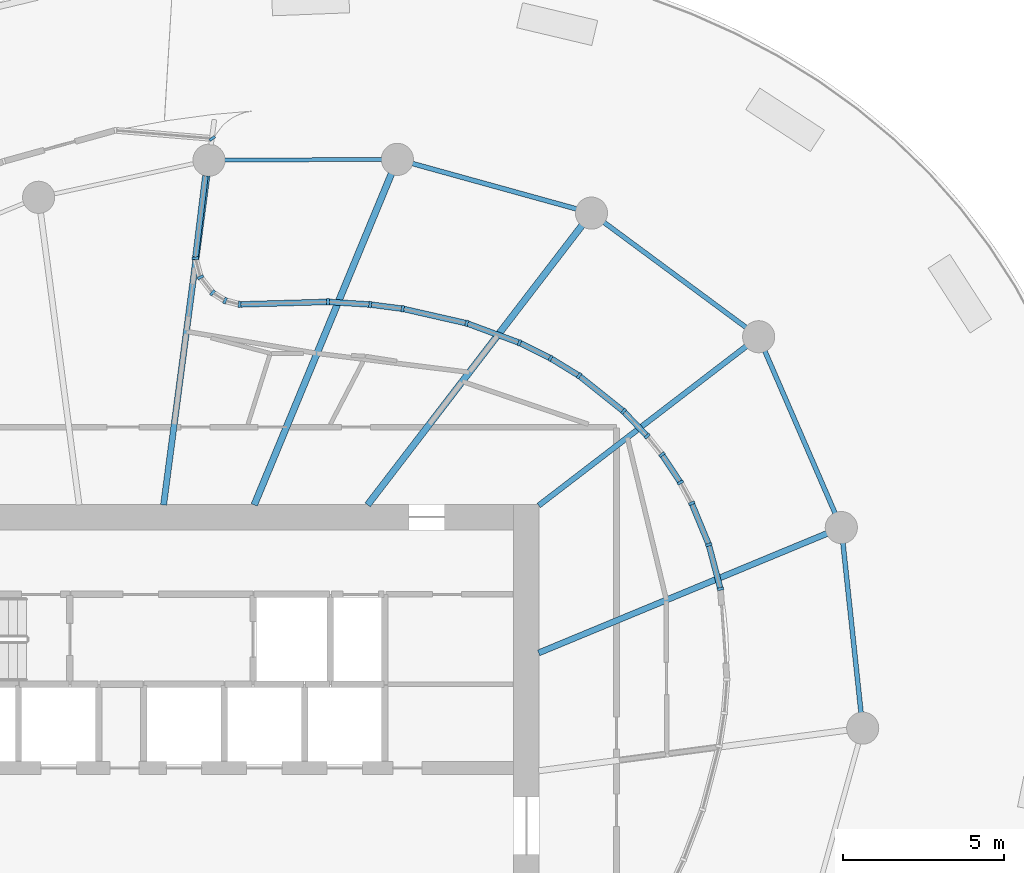
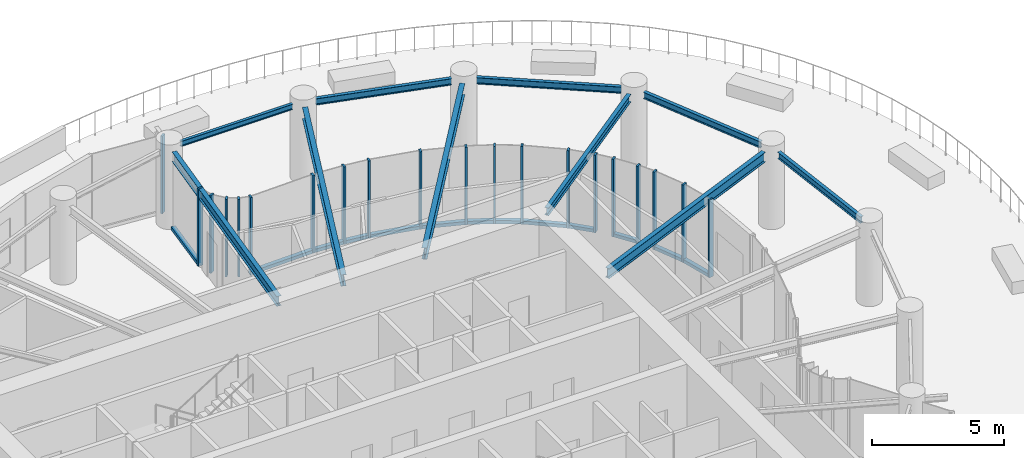
# One storey, part 6 of 21: 33 members, 10 beams, 4 elements without a shape of their own.
"""IFC4 building model written with IfcOpenShell, lengths in metres."""

import ifcopenshell
import ifcopenshell.guid

model = None  # the IFC model being written
_history = None  # IfcOwnerHistory: only IFC2X3 demands one
_inside = {}  # id of a spatial element -> (the spatial element, [elements in it])
_under = {}  # id of a project, library or spatial element -> (it, [spatial elements below it])
_declared = {}  # id of a project -> (the project, [libraries it declares])
_typed = {}  # id of a type object -> (the type object, [elements of that type])
_made_of = {}  # id of a material, layer set ... -> (it, [elements and type objects made of it])


def new_model(schema):
    """Start an empty IFC model of exactly this schema.

    Asked for "IFC4X3", IfcOpenShell would pick the latest addendum, in which some entities
    have other attributes; the version numbers below select the first issue.
    IFC2X3 requires an IfcOwnerHistory on every rooted entity: one is made here for all.
    """
    global model, _history
    if schema == "IFC4X3":
        model = ifcopenshell.file(schema_version=(4, 3, 0, 0))
    else:
        model = ifcopenshell.file(schema=schema)
    _inside.clear()
    _under.clear()
    _declared.clear()
    _typed.clear()
    _made_of.clear()
    _history = None
    if model.schema == "IFC2X3":
        org = make("IfcOrganization", Name="unknown")
        user = make(
            "IfcPersonAndOrganization",
            ThePerson=make("IfcPerson", FamilyName="unknown"),
            TheOrganization=org,
        )
        app = make(
            "IfcApplication",
            ApplicationDeveloper=org,
            Version="unknown",
            ApplicationFullName="unknown",
            ApplicationIdentifier="unknown",
        )
        _history = make(
            "IfcOwnerHistory",
            OwningUser=user,
            OwningApplication=app,
            ChangeAction="ADDED",
            CreationDate=0,
        )
    return model


def make(cls, **values):
    """One entity of the class cls with the attributes given. An attribute that is None is left unset."""
    return model.create_entity(
        cls, **{name: value for name, value in values.items() if value is not None}
    )


def rooted(cls, **values):
    """An entity with a GlobalId (a new one), such as an element, a storey or a relation."""
    return make(cls, GlobalId=ifcopenshell.guid.new(), OwnerHistory=_history, **values)


def si_unit(unit_type, name, prefix=None):
    """IfcSIUnit, for example si_unit("LENGTHUNIT", "METRE", prefix="MILLI")."""
    return make("IfcSIUnit", UnitType=unit_type, Prefix=prefix, Name=name)


def assignment(units):
    """IfcUnitAssignment: the units of a project."""
    return None if units is None else make("IfcUnitAssignment", Units=units)


def point(xyz):
    """IfcCartesianPoint."""
    return None if xyz is None else make("IfcCartesianPoint", Coordinates=xyz)


def direction(xyz):
    """IfcDirection."""
    return None if xyz is None else make("IfcDirection", DirectionRatios=xyz)


def frame(location, z_axis=None, x_axis=None):
    """IfcAxis2Placement3D, a coordinate frame: its origin and axes. An axis left out is left unset."""
    return make(
        "IfcAxis2Placement3D",
        Location=point(location),
        Axis=direction(z_axis),
        RefDirection=direction(x_axis),
    )


def frame_2d(location, x_axis=None):
    """IfcAxis2Placement2D, a coordinate frame in the plane: its origin and x axis."""
    return make(
        "IfcAxis2Placement2D", Location=point(location), RefDirection=direction(x_axis)
    )


def origin():
    """The frame at (0, 0, 0) with its axes left unset."""
    return frame((0.0, 0.0, 0.0))


def origin_2d():
    """The frame at (0, 0) in the plane with its x axis left unset."""
    return frame_2d((0.0, 0.0))


def place(relative_to, where):
    """IfcLocalPlacement: puts the frame where relative to a parent placement (None: the world)."""
    return make(
        "IfcLocalPlacement", PlacementRelTo=relative_to, RelativePlacement=where
    )


def context(
    kind, dimensions, precision=None, world=None, true_north=None, identifier=None
):
    """IfcGeometricRepresentationContext, for example the 3D "Model" context."""
    return make(
        "IfcGeometricRepresentationContext",
        ContextIdentifier=identifier,
        ContextType=kind,
        CoordinateSpaceDimension=dimensions,
        Precision=precision,
        WorldCoordinateSystem=world,
        TrueNorth=true_north,
    )


def subcontext(parent, identifier, kind, view, scale=None):
    """IfcGeometricRepresentationSubContext, for example "Body" below "Model"."""
    return make(
        "IfcGeometricRepresentationSubContext",
        ContextIdentifier=identifier,
        ContextType=kind,
        ParentContext=parent,
        TargetScale=scale,
        TargetView=view,
    )


def project(units=None, contexts=None):
    """IfcProject with its units and contexts."""
    return rooted(
        "IfcProject",
        Name="project",
        RepresentationContexts=contexts,
        UnitsInContext=assignment(units),
    )


def spatial(cls, under=None, at=None, **own):
    """A site, building, storey or space (cls), placed at a placement, below another one or the project."""
    s = rooted(cls, ObjectPlacement=at, **own)
    if under is not None:
        _under.setdefault(under.id(), (under, []))[1].append(s)
    return s


def profile(cls, at=None, kind="AREA", **sizes):
    """A parametric profile (cls). Its sizes go by their IFC names, for example OverallWidth=200.0."""
    return make(cls, ProfileType=kind, Position=at, **sizes)


def rectangle(**sizes):
    """IfcRectangleProfileDef."""
    return profile("IfcRectangleProfileDef", **sizes)


def i_section(**sizes):
    """IfcIShapeProfileDef."""
    return profile("IfcIShapeProfileDef", **sizes)


def extrude(swept, where, along, depth):
    """IfcExtrudedAreaSolid: the profile swept, set in the frame where, extruded along a direction by depth."""
    return make(
        "IfcExtrudedAreaSolid",
        SweptArea=swept,
        Position=where,
        ExtrudedDirection=direction(along),
        Depth=depth,
    )


def shape(context_of_items, identifier, shape_type, items):
    """IfcShapeRepresentation: the items that make up one representation, for example the "Body"."""
    return make(
        "IfcShapeRepresentation",
        ContextOfItems=context_of_items,
        RepresentationIdentifier=identifier,
        RepresentationType=shape_type,
        Items=items,
    )


def source(mapping_origin, context_of_items, identifier, shape_type, items):
    """IfcRepresentationMap: a shape defined once, which mapped items show again and again."""
    return make(
        "IfcRepresentationMap",
        MappingOrigin=mapping_origin,
        MappedRepresentation=shape(context_of_items, identifier, shape_type, items),
    )


def transform(
    local_origin,
    x_axis=None,
    y_axis=None,
    z_axis=None,
    scale=None,
    scale2=None,
    scale3=None,
    uniform=True,
):
    """IfcCartesianTransformationOperator3D, or its non-uniform kind. x_axis, y_axis, z_axis: its Axis1, 2, 3."""
    if uniform:
        return make(
            "IfcCartesianTransformationOperator3D",
            Axis1=direction(x_axis),
            Axis2=direction(y_axis),
            LocalOrigin=point(local_origin),
            Scale=scale,
            Axis3=direction(z_axis),
        )
    return make(
        "IfcCartesianTransformationOperator3DnonUniform",
        Axis1=direction(x_axis),
        Axis2=direction(y_axis),
        LocalOrigin=point(local_origin),
        Scale=scale,
        Axis3=direction(z_axis),
        Scale2=scale2,
        Scale3=scale3,
    )


def mapped(mapping_source, mapping_target):
    """IfcMappedItem: shows the shape of a source again, moved by a transform."""
    return make(
        "IfcMappedItem", MappingSource=mapping_source, MappingTarget=mapping_target
    )


def material(Name=None, Category=None):
    """IfcMaterial."""
    return make("IfcMaterial", Name=Name, Category=Category)


def layer(
    of_material, thickness, ventilated=None, Name=None, Category=None, Priority=None
):
    """IfcMaterialLayer: one layer of a wall or slab, of a material (None: an air gap)."""
    return make(
        "IfcMaterialLayer",
        Material=of_material,
        LayerThickness=thickness,
        IsVentilated=ventilated,
        Name=Name,
        Category=Category,
        Priority=Priority,
    )


def layer_set(layers, Name=None):
    """IfcMaterialLayerSet."""
    return make("IfcMaterialLayerSet", MaterialLayers=layers, LayerSetName=Name)


def material_profile(
    of_material, cross_section, Name=None, Category=None, Priority=None
):
    """IfcMaterialProfile: a cross section and its material."""
    return make(
        "IfcMaterialProfile",
        Name=Name,
        Material=of_material,
        Profile=cross_section,
        Priority=Priority,
        Category=Category,
    )


def profile_set(profiles, Name=None, composite=None):
    """IfcMaterialProfileSet."""
    return make(
        "IfcMaterialProfileSet",
        Name=Name,
        MaterialProfiles=profiles,
        CompositeProfile=composite,
    )


def made_of(thing, what):
    """Note that an element or type object is made of a material, layer set ...; save() writes the relation."""
    if what is not None:
        _made_of.setdefault(what.id(), (what, []))[1].append(thing)
    return thing


def type_object(cls, material=None, **own):
    """A type object (cls), such as IfcWallType, which elements share."""
    return made_of(rooted(cls, **own), material)


def element(
    cls,
    number,
    at=None,
    inside=None,
    cuts=None,
    type_object=None,
    material=None,
    context=None,
    identifier="Body",
    shape_type=None,
    held_by="IfcProductDefinitionShape",
    body=None,
    shapes=None,
    **own,
):
    """One element of the class cls, such as IfcWall. Its Tag is "e" and its number.

    at: its placement. inside: the storey or other place that contains it. cuts: it is an
    opening in that element (IfcRelVoidsElement). A single representation is given by context,
    identifier, shape_type and body (its items); several are given by shapes. held_by: the class
    of the entity that holds the representations. save() writes the other relations.
    """
    e = rooted(cls, Tag="e%d" % number, ObjectPlacement=at, **own)
    if body is not None:
        shapes = [shape(context, identifier, shape_type, body)]
    if shapes is not None:
        e.Representation = make(held_by, Representations=shapes)
    if inside is not None:
        _inside.setdefault(inside.id(), (inside, []))[1].append(e)
    if cuts is not None:
        rooted(
            "IfcRelVoidsElement", RelatingBuildingElement=cuts, RelatedOpeningElement=e
        )
    if type_object is not None:
        _typed.setdefault(type_object.id(), (type_object, []))[1].append(e)
    return made_of(e, material)


def aggregate(whole, parts):
    """IfcRelAggregates: a whole, such as a stair, and the parts it consists of."""
    return rooted("IfcRelAggregates", RelatingObject=whole, RelatedObjects=parts)


def save(model, path):
    """Write the relations noted so far, then the file.

    IfcRelAggregates (storeys below a building ...), IfcRelContainedInSpatialStructure (elements
    in a storey), IfcRelDefinesByType, IfcRelAssociatesMaterial and IfcRelDeclares: one each for
    every whole, place, type object, material and project.
    """
    for whole, parts in _under.values():
        aggregate(whole, parts)
    for where, things in _inside.values():
        rooted(
            "IfcRelContainedInSpatialStructure",
            RelatedElements=things,
            RelatingStructure=where,
        )
    for kind, things in _typed.values():
        rooted("IfcRelDefinesByType", RelatedObjects=things, RelatingType=kind)
    for what, things in _made_of.values():
        rooted("IfcRelAssociatesMaterial", RelatedObjects=things, RelatingMaterial=what)
    for by, libraries in _declared.values():
        rooted("IfcRelDeclares", RelatingContext=by, RelatedDefinitions=libraries)
    model.write(path)


model = new_model("IFC4")

# Units and contexts
model_context = context("Model", 3, precision=1e-05, world=origin(), true_north=direction((0.0, 1.0)))
body_context = subcontext(model_context, "Body", "Model", "MODEL_VIEW")
ifc_project = project(units=[si_unit("LENGTHUNIT", "METRE"), si_unit("AREAUNIT", "SQUARE_METRE"), si_unit("VOLUMEUNIT", "CUBIC_METRE"), si_unit("PLANEANGLEUNIT", "RADIAN"), si_unit("MASSUNIT", "GRAM", prefix="KILO")], contexts=[model_context])

# Site, building, storey
site_placement = place(None, origin())
site = spatial("IfcSite", under=ifc_project, at=site_placement, CompositionType="ELEMENT")
building_placement = place(site_placement, origin())
building = spatial("IfcBuilding", under=site, at=building_placement, Name="Spindrift Exchange Tower", CompositionType="ELEMENT")
storey_placement = place(building_placement, frame((0.0, 0.0, 133.10009765625)))
storey = spatial("IfcBuildingStorey", under=building, at=storey_placement, Name="L31", CompositionType="ELEMENT", Elevation=133.10009765625)

# Beams
ifc_material_1 = material(Name="Steel Grade 300", Category="steel")
ifc_material_profile_1 = material_profile(ifc_material_1, i_section(OverallWidth=0.18994140625, OverallDepth=0.4541015625, WebThickness=0.008544921875, FlangeThickness=0.0126953125, FilletRadius=0.013916015625, at=origin_2d()), Name="460UB67.1")
ifc_profile_set_1 = profile_set([ifc_material_profile_1], Name="Steel Grade 300")
beam_type_1 = type_object("IfcBeamType", Name="Floor Beam 460UB67.1 Steel Grade 300", PredefinedType="BEAM", material=ifc_profile_set_1)
shared_shape_1 = source(origin(), body_context, "Body", "SweptSolid", [
    extrude(i_section(OverallWidth=0.18994140625, OverallDepth=0.4541015625, WebThickness=0.008544921875, FlangeThickness=0.0126953125, FilletRadius=0.013916015625, at=origin_2d()), origin(), (0.0, 0.0, 1.0), 9.7109375),
])
beam_1_placement = place(storey_placement, frame((64.9814453125, 53.377197265625, 3.352783203125), z_axis=(0.923884154486, 0.382672273741, 0.0), x_axis=(-0.382672273741, 0.923884154486, 0.0)))
element("IfcBeam", 1, at=beam_1_placement, inside=storey, type_object=beam_type_1, Name="L31 radial beam R02A", PredefinedType="BEAM", context=body_context, shape_type="MappedRepresentation", body=[
    mapped(shared_shape_1, transform((0.0, 0.0, 0.0), scale=1.0)),
])
ifc_material_profile_2 = material_profile(ifc_material_1, i_section(OverallWidth=0.1708984375, OverallDepth=0.35205078125, WebThickness=0.0068359375, FlangeThickness=0.009765625, FilletRadius=0.013916015625, at=origin_2d()), Name="360UB44.7")
ifc_profile_set_2 = profile_set([ifc_material_profile_2], Name="Steel Grade 300")
beam_type_2 = type_object("IfcBeamType", Name="Floor Beam 360UB44.7 Steel Grade 300", PredefinedType="BEAM", material=ifc_profile_set_2)
shared_shape_2 = source(origin(), body_context, "Body", "SweptSolid", [
    extrude(i_section(OverallWidth=0.1708984375, OverallDepth=0.35205078125, WebThickness=0.0068359375, FlangeThickness=0.009765625, FilletRadius=0.013916015625, at=origin_2d()), origin(), (0.0, 0.0, 1.0), 8.143798828125),
])
beam_2_placement = place(storey_placement, frame((64.984130859375, 57.963134765625, 3.40380859375), z_axis=(0.793361179131, 0.608751213098, 0.0), x_axis=(-0.608751213098, 0.793361179131, 0.0)))
element("IfcBeam", 2, at=beam_2_placement, inside=storey, type_object=beam_type_2, Name="L31 radial beam R03A", PredefinedType="BEAM", context=body_context, shape_type="MappedRepresentation", body=[
    mapped(shared_shape_2, transform((0.0, 0.0, 0.0), scale=1.0)),
])
ifc_material_profile_3 = material_profile(ifc_material_1, i_section(OverallWidth=0.208984375, OverallDepth=0.528076171875, WebThickness=0.009521484375, FlangeThickness=0.01318359375, FilletRadius=0.013916015625, at=origin_2d()), Name="530UB82.0")
ifc_profile_set_3 = profile_set([ifc_material_profile_3], Name="Steel Grade 300")
beam_type_3 = type_object("IfcBeamType", Name="Floor Beam 530UB82.0 Steel Grade 300", PredefinedType="BEAM", material=ifc_profile_set_3)
shared_shape_3 = source(origin(), body_context, "Body", "SweptSolid", [
    extrude(i_section(OverallWidth=0.208984375, OverallDepth=0.528076171875, WebThickness=0.009521484375, FlangeThickness=0.01318359375, FilletRadius=0.013916015625, at=origin_2d()), origin(), (0.0, 0.0, 1.0), 10.959228515625),
])
beam_3_placement = place(storey_placement, frame((59.6611328125, 57.984130859375, 3.31591796875), z_axis=(0.608764008616, 0.793351360882, 0.0), x_axis=(-0.793351360882, 0.608764008616, 0.0)))
element("IfcBeam", 3, at=beam_3_placement, inside=storey, type_object=beam_type_3, Name="L31 radial beam R04A", PredefinedType="BEAM", context=body_context, shape_type="MappedRepresentation", body=[
    mapped(shared_shape_3, transform((0.0, 0.0, 0.0), scale=1.0)),
])
shared_shape_4 = source(origin(), body_context, "Body", "SweptSolid", [
    extrude(i_section(OverallWidth=0.208984375, OverallDepth=0.528076171875, WebThickness=0.009521484375, FlangeThickness=0.01318359375, FilletRadius=0.013916015625, at=origin_2d()), origin(), (0.0, 0.0, 1.0), 11.155029296875),
])
beam_4_placement = place(storey_placement, frame((56.134521484375, 57.9814453125, 3.31591796875), z_axis=(0.382679750175, 0.923881057716, 0.0), x_axis=(-0.923881057716, 0.382679750175, 0.0)))
element("IfcBeam", 4, at=beam_4_placement, inside=storey, type_object=beam_type_3, Name="L31 radial beam R05A", PredefinedType="BEAM", context=body_context, shape_type="MappedRepresentation", body=[
    mapped(shared_shape_4, transform((0.0, 0.0, 0.0), scale=1.0)),
])
shared_shape_5 = source(origin(), body_context, "Body", "SweptSolid", [
    extrude(i_section(OverallWidth=0.18994140625, OverallDepth=0.4541015625, WebThickness=0.008544921875, FlangeThickness=0.0126953125, FilletRadius=0.013916015625, at=origin_2d()), origin(), (0.0, 0.0, 1.0), 10.337646484375),
])
beam_5_placement = place(storey_placement, frame((53.31396484375, 57.980224609375, 3.352783203125), z_axis=(0.130528432357, 0.991444566452, 0.0), x_axis=(-0.991444566452, 0.130528432357, 0.0)))
element("IfcBeam", 5, at=beam_5_placement, inside=storey, type_object=beam_type_1, Name="L31 radial beam R06A", PredefinedType="BEAM", context=body_context, shape_type="MappedRepresentation", body=[
    mapped(shared_shape_5, transform((0.0, 0.0, 0.0), scale=1.0)),
])
ifc_material_profile_4 = material_profile(ifc_material_1, i_section(OverallWidth=0.14892578125, OverallDepth=0.298095703125, WebThickness=0.005615234375, FlangeThickness=0.008056640625, FilletRadius=0.012939453125, at=origin_2d()), Name="310UB32.0")
ifc_profile_set_4 = profile_set([ifc_material_profile_4], Name="Steel Grade 300")
beam_type_4 = type_object("IfcBeamType", Name="Edge Beam 310UB32.0 Steel Grade 300", PredefinedType="SPANDREL", material=ifc_profile_set_4)
shared_shape_6 = source(origin(), body_context, "Body", "SweptSolid", [
    extrude(i_section(OverallWidth=0.14892578125, OverallDepth=0.298095703125, WebThickness=0.005615234375, FlangeThickness=0.008056640625, FilletRadius=0.012939453125, at=origin_2d()), origin(), (0.0, 0.0, 1.0), 5.31640625),
])
beam_6_placement = place(storey_placement, frame((75.010986328125, 51.513427734375, 3.430908203125), z_axis=(-0.10598990948, 0.994367205357, 0.0), x_axis=(-0.994367205357, -0.10598990948, 0.0)))
element("IfcBeam", 6, at=beam_6_placement, inside=storey, type_object=beam_type_4, Name="L31 edge beam E01", PredefinedType="SPANDREL", context=body_context, shape_type="MappedRepresentation", body=[
    mapped(shared_shape_6, transform((0.0, 0.0, 0.0), scale=1.0)),
])
shared_shape_7 = source(origin(), body_context, "Body", "SweptSolid", [
    extrude(i_section(OverallWidth=0.14892578125, OverallDepth=0.298095703125, WebThickness=0.005615234375, FlangeThickness=0.008056640625, FilletRadius=0.012939453125, at=origin_2d()), origin(), (0.0, 0.0, 1.0), 5.508544921875),
])
beam_7_placement = place(storey_placement, frame((74.205810546875, 57.717529296875, 3.430908203125), z_axis=(-0.397414644433, 0.917639144975, 0.0), x_axis=(-0.917639144975, -0.397414644433, 0.0)))
element("IfcBeam", 7, at=beam_7_placement, inside=storey, type_object=beam_type_4, Name="L31 edge beam E02", PredefinedType="SPANDREL", context=body_context, shape_type="MappedRepresentation", body=[
    mapped(shared_shape_7, transform((0.0, 0.0, 0.0), scale=1.0)),
])
shared_shape_8 = source(origin(), body_context, "Body", "SweptSolid", [
    extrude(i_section(OverallWidth=0.14892578125, OverallDepth=0.298095703125, WebThickness=0.005615234375, FlangeThickness=0.008056640625, FilletRadius=0.012939453125, at=origin_2d()), origin(), (0.0, 0.0, 1.0), 5.509033203125),
])
beam_8_placement = place(storey_placement, frame((71.43994140625, 63.498291015625, 3.430908203125), z_axis=(-0.803991901791, 0.594640245741, 0.0), x_axis=(-0.594640245741, -0.803991901791, 0.0)))
element("IfcBeam", 8, at=beam_8_placement, inside=storey, type_object=beam_type_4, Name="L31 edge beam E03", PredefinedType="SPANDREL", context=body_context, shape_type="MappedRepresentation", body=[
    mapped(shared_shape_8, transform((0.0, 0.0, 0.0), scale=1.0)),
])
shared_shape_9 = source(origin(), body_context, "Body", "SweptSolid", [
    extrude(i_section(OverallWidth=0.14892578125, OverallDepth=0.298095703125, WebThickness=0.005615234375, FlangeThickness=0.008056640625, FilletRadius=0.012939453125, at=origin_2d()), origin(), (0.0, 0.0, 1.0), 5.30517578125),
])
beam_9_placement = place(storey_placement, frame((66.162353515625, 67.1875, 3.430908203125), z_axis=(-0.963757513624, 0.26677978734, 0.0), x_axis=(-0.26677978734, -0.963757513624, 0.0)))
element("IfcBeam", 9, at=beam_9_placement, inside=storey, type_object=beam_type_4, Name="L31 edge beam E04", PredefinedType="SPANDREL", context=body_context, shape_type="MappedRepresentation", body=[
    mapped(shared_shape_9, transform((0.0, 0.0, 0.0), scale=1.0)),
])
ifc_material_profile_5 = material_profile(ifc_material_1, i_section(OverallWidth=0.1240234375, OverallDepth=0.248046875, WebThickness=0.0048828125, FlangeThickness=0.008056640625, FilletRadius=0.011962890625, at=origin_2d()), Name="250UB25.7")
ifc_profile_set_5 = profile_set([ifc_material_profile_5], Name="Steel Grade 300")
beam_type_5 = type_object("IfcBeamType", Name="Edge Beam 250UB25.7 Steel Grade 300", PredefinedType="SPANDREL", material=ifc_profile_set_5)
shared_shape_10 = source(origin(), body_context, "Body", "SweptSolid", [
    extrude(i_section(OverallWidth=0.1240234375, OverallDepth=0.248046875, WebThickness=0.0048828125, FlangeThickness=0.008056640625, FilletRadius=0.011962890625, at=origin_2d()), origin(), (0.0, 0.0, 1.0), 4.901123046875),
])
beam_10_placement = place(storey_placement, frame((60.10693359375, 68.728759765625, 3.455810546875), z_axis=(-0.999990609444, -0.004333707747, 0.0), x_axis=(0.004333707747, -0.999990609444, 0.0)))
element("IfcBeam", 10, at=beam_10_placement, inside=storey, type_object=beam_type_5, Name="L31 edge beam E05", PredefinedType="SPANDREL", context=body_context, shape_type="MappedRepresentation", body=[
    mapped(shared_shape_10, transform((0.0, 0.0, 0.0), scale=1.0)),
])

# Curtain wall, members
ifc_material_2 = material(Name="Fritted laminated glass with bronze frame", Category="glass")
ifc_layer = layer(ifc_material_2, 0.199951171875)
ifc_layer_set = layer_set([ifc_layer], Name="SKY GARDEN BRONZE GLAZED WALL")
curtain_wall_type = type_object("IfcCurtainWallType", Name="SKY GARDEN BRONZE GLAZED WALL", PredefinedType="NOTDEFINED", material=ifc_layer_set)
curtain_wall_1_placement = place(storey_placement, origin())
curtain_wall_1 = element("IfcCurtainWall", 11, at=curtain_wall_1_placement, inside=storey, type_object=curtain_wall_type, Name="L31 Sky Garden Bronze Glazed Wall run 8", PredefinedType="NOTDEFINED")
ifc_material_3 = material(Name="Bronze anodised aluminium", Category="aluminium")
ifc_material_profile_6 = material_profile(ifc_material_3, rectangle(XDim=0.0849609375, YDim=0.199951171875, at=origin_2d()), Name="SKY GARDEN BRONZE GLAZED WALL MULLION 85X200")
ifc_profile_set_6 = profile_set([ifc_material_profile_6], Name="Bronze anodised aluminium")
member_type_1 = type_object("IfcMemberType", Name="SKY GARDEN BRONZE GLAZED WALL MULLION 85X200", PredefinedType="MULLION", material=ifc_profile_set_6)
shared_shape_11 = source(origin(), body_context, "Body", "SweptSolid", [
    extrude(rectangle(XDim=0.0849609375, YDim=0.199951171875, at=origin_2d()), origin(), (0.0, 0.0, 1.0), 3.579833984375),
])
member_1_placement = place(storey_placement, frame((70.63671875, 55.36865234375, 0.0), z_axis=(0.0, 0.0, 1.0), x_axis=(-0.16394404285, 0.986469640087, 0.0)))
member_1 = element("IfcMember", 12, at=member_1_placement, type_object=member_type_1, Name="L31 mullion CW-G.42", PredefinedType="MULLION", context=body_context, shape_type="MappedRepresentation", body=[
    mapped(shared_shape_11, transform((0.0, 0.0, 0.0), scale=1.0)),
])
member_2_placement = place(storey_placement, frame((70.274658203125, 56.742431640625, 0.0), z_axis=(0.0, 0.0, 1.0), x_axis=(-0.318984416097, 0.947759960268, 0.0)))
member_2 = element("IfcMember", 13, at=member_2_placement, type_object=member_type_1, Name="L31 mullion CW-G.43", PredefinedType="MULLION", context=body_context, shape_type="MappedRepresentation", body=[
    mapped(shared_shape_11, transform((0.0, 0.0, 0.0), scale=1.0)),
])
member_3_placement = place(storey_placement, frame((69.741943359375, 58.0322265625, 0.0), z_axis=(0.0, 0.0, 1.0), x_axis=(-0.429782412331, 0.902932488092, 0.0)))
member_3 = element("IfcMember", 14, at=member_3_placement, type_object=member_type_1, Name="L31 mullion CW-G.44", PredefinedType="MULLION", context=body_context, shape_type="MappedRepresentation", body=[
    mapped(shared_shape_11, transform((0.0, 0.0, 0.0), scale=1.0)),
])
member_4_placement = place(storey_placement, frame((69.39111328125, 58.67919921875, 0.0), z_axis=(0.0, 0.0, 1.0), x_axis=(-0.514968482124, 0.857209112422, 0.0)))
member_4 = element("IfcMember", 15, at=member_4_placement, type_object=member_type_1, Name="L31 mullion CW-G.45", PredefinedType="MULLION", context=body_context, shape_type="MappedRepresentation", body=[
    mapped(shared_shape_11, transform((0.0, 0.0, 0.0), scale=1.0)),
])

curtain_wall_2_placement = place(storey_placement, origin())
curtain_wall_2 = element("IfcCurtainWall", 16, at=curtain_wall_2_placement, inside=storey, type_object=curtain_wall_type, Name="L31 Sky Garden Bronze Glazed Wall run 9", PredefinedType="NOTDEFINED")
member_5_placement = place(storey_placement, frame((68.816650390625, 59.546142578125, 0.0), z_axis=(0.0, 0.0, 1.0), x_axis=(-0.588622270898, 0.808408202707, 0.0)))
member_5 = element("IfcMember", 17, at=member_5_placement, type_object=member_type_1, Name="L31 mullion CW-G.46", PredefinedType="MULLION", context=body_context, shape_type="MappedRepresentation", body=[
    mapped(shared_shape_11, transform((0.0, 0.0, 0.0), scale=1.0)),
])
member_6_placement = place(storey_placement, frame((68.357666015625, 60.12158203125, 0.0), z_axis=(0.0, 0.0, 1.0), x_axis=(-0.657615514353, 0.753353725206, 0.0)))
member_6 = element("IfcMember", 18, at=member_6_placement, type_object=member_type_1, Name="L31 mullion CW-G.47", PredefinedType="MULLION", context=body_context, shape_type="MappedRepresentation", body=[
    mapped(shared_shape_11, transform((0.0, 0.0, 0.0), scale=1.0)),
])
member_7_placement = place(storey_placement, frame((67.622314453125, 60.892333984375, 0.0), z_axis=(0.0, 0.0, 1.0), x_axis=(-0.73707407844, 0.675811958234, 0.0)))
member_7 = element("IfcMember", 19, at=member_7_placement, type_object=member_type_1, Name="L31 mullion CW-G.48", PredefinedType="MULLION", context=body_context, shape_type="MappedRepresentation", body=[
    mapped(shared_shape_11, transform((0.0, 0.0, 0.0), scale=1.0)),
])
member_8_placement = place(storey_placement, frame((66.23828125, 62.00048828125, 0.0), z_axis=(0.0, 0.0, 1.0), x_axis=(-0.818261845301, 0.574845677139, 0.0)))
member_8 = element("IfcMember", 20, at=member_8_placement, type_object=member_type_1, Name="L31 mullion CW-G.49", PredefinedType="MULLION", context=body_context, shape_type="MappedRepresentation", body=[
    mapped(shared_shape_11, transform((0.0, 0.0, 0.0), scale=1.0)),
])
member_9_placement = place(storey_placement, frame((65.3505859375, 62.544189453125, 0.0), z_axis=(0.0, 0.0, 1.0), x_axis=(-0.874768345843, 0.48454137193, 0.0)))
member_9 = element("IfcMember", 21, at=member_9_placement, type_object=member_type_1, Name="L31 mullion CW-G.50", PredefinedType="MULLION", context=body_context, shape_type="MappedRepresentation", body=[
    mapped(shared_shape_11, transform((0.0, 0.0, 0.0), scale=1.0)),
])
member_10_placement = place(storey_placement, frame((64.384521484375, 63.025390625, 0.0), z_axis=(0.0, 0.0, 1.0), x_axis=(-0.917964638284, 0.39666222767, 0.0)))
member_10 = element("IfcMember", 22, at=member_10_placement, type_object=member_type_1, Name="L31 mullion CW-G.51", PredefinedType="MULLION", context=body_context, shape_type="MappedRepresentation", body=[
    mapped(shared_shape_11, transform((0.0, 0.0, 0.0), scale=1.0)),
])

curtain_wall_3_placement = place(storey_placement, origin())
curtain_wall_3 = element("IfcCurtainWall", 23, at=curtain_wall_3_placement, inside=storey, type_object=curtain_wall_type, Name="L31 Sky Garden Bronze Glazed Wall run 10", PredefinedType="NOTDEFINED")
member_11_placement = place(storey_placement, frame((62.74560546875, 63.630615234375, 0.0), z_axis=(0.0, 0.0, 1.0), x_axis=(-0.958612493066, 0.284714046261, 0.0)))
member_11 = element("IfcMember", 24, at=member_11_placement, type_object=member_type_1, Name="L31 mullion CW-G.52", PredefinedType="MULLION", context=body_context, shape_type="MappedRepresentation", body=[
    mapped(shared_shape_11, transform((0.0, 0.0, 0.0), scale=1.0)),
])
member_12_placement = place(storey_placement, frame((60.75439453125, 64.08349609375, 0.0), z_axis=(0.0, 0.0, 1.0), x_axis=(-0.984505769722, 0.175352186708, 0.0)))
member_12 = element("IfcMember", 25, at=member_12_placement, type_object=member_type_1, Name="L31 mullion CW-G.53", PredefinedType="MULLION", context=body_context, shape_type="MappedRepresentation", body=[
    mapped(shared_shape_11, transform((0.0, 0.0, 0.0), scale=1.0)),
])
member_13_placement = place(storey_placement, frame((59.74072265625, 64.21484375, 0.0), z_axis=(0.0, 0.0, 1.0), x_axis=(-0.995398250589, 0.095824436994, 0.0)))
member_13 = element("IfcMember", 26, at=member_13_placement, type_object=member_type_1, Name="L31 mullion CW-G.54", PredefinedType="MULLION", context=body_context, shape_type="MappedRepresentation", body=[
    mapped(shared_shape_11, transform((0.0, 0.0, 0.0), scale=1.0)),
])
member_14_placement = place(storey_placement, frame((58.42724609375, 64.2978515625, 0.0), z_axis=(0.0, 0.0, 1.0), x_axis=(-0.99985520699, 0.017016611133, 0.0)))
member_14 = element("IfcMember", 27, at=member_14_placement, type_object=member_type_1, Name="L31 mullion CW-G.55", PredefinedType="MULLION", context=body_context, shape_type="MappedRepresentation", body=[
    mapped(shared_shape_11, transform((0.0, 0.0, 0.0), scale=1.0)),
])
member_15_placement = place(storey_placement, frame((55.6787109375, 64.218017578125, 0.0), z_axis=(0.0, 0.0, 1.0), x_axis=(-0.993388819078, 0.114798319375, 0.0)))
member_15 = element("IfcMember", 28, at=member_15_placement, type_object=member_type_1, Name="L31 mullion CW-G.56", PredefinedType="MULLION", context=body_context, shape_type="MappedRepresentation", body=[
    mapped(shared_shape_11, transform((0.0, 0.0, 0.0), scale=1.0)),
])
member_16_placement = place(storey_placement, frame((55.228759765625, 64.33740234375, 0.0), z_axis=(0.0, 0.0, 1.0), x_axis=(-0.917442616987, 0.397868124554, 0.0)))
member_16 = element("IfcMember", 29, at=member_16_placement, type_object=member_type_1, Name="L31 mullion CW-G.57", PredefinedType="MULLION", context=body_context, shape_type="MappedRepresentation", body=[
    mapped(shared_shape_11, transform((0.0, 0.0, 0.0), scale=1.0)),
])

curtain_wall_4_placement = place(storey_placement, origin())
curtain_wall_4 = element("IfcCurtainWall", 30, at=curtain_wall_4_placement, inside=storey, type_object=curtain_wall_type, Name="L31 Sky Garden Bronze Glazed Wall run 11", PredefinedType="NOTDEFINED")
member_17_placement = place(storey_placement, frame((54.838134765625, 64.581787109375, 0.0), z_axis=(0.0, 0.0, 1.0), x_axis=(-0.743033789638, 0.669253903579, 0.0)))
member_17 = element("IfcMember", 31, at=member_17_placement, type_object=member_type_1, Name="L31 mullion CW-G.58", PredefinedType="MULLION", context=body_context, shape_type="MappedRepresentation", body=[
    mapped(shared_shape_11, transform((0.0, 0.0, 0.0), scale=1.0)),
])
member_18_placement = place(storey_placement, frame((54.460693359375, 65.064453125, 0.0), z_axis=(0.0, 0.0, 1.0), x_axis=(-0.448084111434, 0.893991403247, 0.0)))
member_18 = element("IfcMember", 32, at=member_18_placement, type_object=member_type_1, Name="L31 mullion CW-G.59", PredefinedType="MULLION", context=body_context, shape_type="MappedRepresentation", body=[
    mapped(shared_shape_11, transform((0.0, 0.0, 0.0), scale=1.0)),
])
member_19_placement = place(storey_placement, frame((54.2998046875, 65.65576171875, 0.0), z_axis=(0.0, 0.0, 1.0), x_axis=(-0.071937560128, 0.997409137437, 0.0)))
member_19 = element("IfcMember", 33, at=member_19_placement, type_object=member_type_1, Name="L31 mullion CW-G.60", PredefinedType="MULLION", context=body_context, shape_type="MappedRepresentation", body=[
    mapped(shared_shape_11, transform((0.0, 0.0, 0.0), scale=1.0)),
])
member_20_placement = place(storey_placement, frame((54.826416015625, 69.38134765625, 0.0), z_axis=(0.0, 0.0, 1.0), x_axis=(-0.568347646844, 0.822788522238, 0.0)))
member_20 = element("IfcMember", 34, at=member_20_placement, type_object=member_type_1, Name="L31 mullion CW-G.62", PredefinedType="MULLION", context=body_context, shape_type="MappedRepresentation", body=[
    mapped(shared_shape_11, transform((0.0, 0.0, 0.0), scale=1.0)),
])

# Member
ifc_material_profile_7 = material_profile(ifc_material_3, rectangle(XDim=0.179931640625, YDim=0.14990234375, at=origin_2d()), Name="SKY GARDEN BRONZE GLAZED WALL TRANSOM 180X150")
ifc_profile_set_7 = profile_set([ifc_material_profile_7], Name="Bronze anodised aluminium")
member_type_2 = type_object("IfcMemberType", Name="SKY GARDEN BRONZE GLAZED WALL TRANSOM 180X150", PredefinedType="USERDEFINED", material=ifc_profile_set_7)
shared_shape_12 = source(origin(), body_context, "Body", "SweptSolid", [
    extrude(rectangle(XDim=0.179931640625, YDim=0.14990234375, at=origin_2d()), origin(), (0.0, 0.0, 1.0), 0.955810546875),
])
member_21_placement = place(storey_placement, frame((66.201904296875, 62.022705078125, 0.074951171875), z_axis=(-0.852586568415, 0.522586015272, 0.0), x_axis=(-0.522586015272, -0.852586568415, 0.0)))
member_21 = element("IfcMember", 35, at=member_21_placement, type_object=member_type_2, Name="L31 transom CW-G.49", ObjectType="TRANSOM", PredefinedType="USERDEFINED", context=body_context, shape_type="MappedRepresentation", body=[
    mapped(shared_shape_12, transform((0.0, 0.0, 0.0), scale=1.0)),
])

shared_shape_13 = source(origin(), body_context, "Body", "SweptSolid", [
    extrude(rectangle(XDim=0.179931640625, YDim=0.14990234375, at=origin_2d()), origin(), (0.0, 0.0, 1.0), 1.335693359375),
])
member_22_placement = place(storey_placement, frame((70.625732421875, 55.40966796875, 0.074951171875), z_axis=(-0.254601256225, 0.967046121097, 0.0), x_axis=(-0.967046121097, -0.254601256225, 0.0)))
member_22 = element("IfcMember", 36, at=member_22_placement, type_object=member_type_2, Name="L31 transom CW-G.42", ObjectType="TRANSOM", PredefinedType="USERDEFINED", context=body_context, shape_type="MappedRepresentation", body=[
    mapped(shared_shape_13, transform((0.0, 0.0, 0.0), scale=1.0)),
])

shared_shape_14 = source(origin(), body_context, "Body", "SweptSolid", [
    extrude(rectangle(XDim=0.179931640625, YDim=0.14990234375, at=origin_2d()), origin(), (0.0, 0.0, 1.0), 1.310546875),
])
member_23_placement = place(storey_placement, frame((70.258544921875, 56.78173828125, 0.074951171875), z_axis=(-0.381901994831, 0.924202827492, 0.0), x_axis=(-0.924202827492, -0.381901994831, 0.0)))
member_23 = element("IfcMember", 37, at=member_23_placement, type_object=member_type_2, Name="L31 transom CW-G.43", ObjectType="TRANSOM", PredefinedType="USERDEFINED", context=body_context, shape_type="MappedRepresentation", body=[
    mapped(shared_shape_14, transform((0.0, 0.0, 0.0), scale=1.0)),
])

shared_shape_15 = source(origin(), body_context, "Body", "SweptSolid", [
    extrude(rectangle(XDim=0.179931640625, YDim=0.14990234375, at=origin_2d()), origin(), (0.0, 0.0, 1.0), 0.954833984375),
])
member_24_placement = place(storey_placement, frame((69.36767578125, 58.71484375, 0.074951171875), z_axis=(-0.552515209734, 0.83350281524, 0.0), x_axis=(-0.83350281524, -0.552515209734, 0.0)))
member_24 = element("IfcMember", 38, at=member_24_placement, type_object=member_type_2, Name="L31 transom CW-G.45", ObjectType="TRANSOM", PredefinedType="USERDEFINED", context=body_context, shape_type="MappedRepresentation", body=[
    mapped(shared_shape_15, transform((0.0, 0.0, 0.0), scale=1.0)),
])

aggregate(curtain_wall_1, [member_1, member_22, member_2, member_23, member_3, member_4, member_24])

shared_shape_16 = source(origin(), body_context, "Body", "SweptSolid", [
    extrude(rectangle(XDim=0.179931640625, YDim=0.14990234375, at=origin_2d()), origin(), (0.0, 0.0, 1.0), 0.980224609375),
])
member_25_placement = place(storey_placement, frame((68.328369140625, 60.15234375, 0.074951171875), z_axis=(-0.690351348843, 0.723474267096, 0.0), x_axis=(-0.723474267096, -0.690351348843, 0.0)))
member_25 = element("IfcMember", 39, at=member_25_placement, type_object=member_type_2, Name="L31 transom CW-G.47", ObjectType="TRANSOM", PredefinedType="USERDEFINED", context=body_context, shape_type="MappedRepresentation", body=[
    mapped(shared_shape_16, transform((0.0, 0.0, 0.0), scale=1.0)),
])

shared_shape_17 = source(origin(), body_context, "Body", "SweptSolid", [
    extrude(rectangle(XDim=0.179931640625, YDim=0.14990234375, at=origin_2d()), origin(), (0.0, 0.0, 1.0), 1.68798828125),
])
member_26_placement = place(storey_placement, frame((67.589111328125, 60.9189453125, 0.074951171875), z_axis=(-0.780628859051, 0.624994867512, 0.0), x_axis=(-0.624994867512, -0.780628859051, 0.0)))
member_26 = element("IfcMember", 40, at=member_26_placement, type_object=member_type_2, Name="L31 transom CW-G.48", ObjectType="TRANSOM", PredefinedType="USERDEFINED", context=body_context, shape_type="MappedRepresentation", body=[
    mapped(shared_shape_17, transform((0.0, 0.0, 0.0), scale=1.0)),
])

shared_shape_18 = source(origin(), body_context, "Body", "SweptSolid", [
    extrude(rectangle(XDim=0.179931640625, YDim=0.14990234375, at=origin_2d()), origin(), (0.0, 0.0, 1.0), 0.994384765625),
])
member_27_placement = place(storey_placement, frame((65.312744140625, 62.563232421875, 0.074951171875), z_axis=(-0.895211514622, 0.445641497268, 0.0), x_axis=(-0.445641497268, -0.895211514622, 0.0)))
member_27 = element("IfcMember", 41, at=member_27_placement, type_object=member_type_2, Name="L31 transom CW-G.50", ObjectType="TRANSOM", PredefinedType="USERDEFINED", context=body_context, shape_type="MappedRepresentation", body=[
    mapped(shared_shape_18, transform((0.0, 0.0, 0.0), scale=1.0)),
])

shared_shape_19 = source(origin(), body_context, "Body", "SweptSolid", [
    extrude(rectangle(XDim=0.179931640625, YDim=0.14990234375, at=origin_2d()), origin(), (0.0, 0.0, 1.0), 1.662353515625),
])
member_28_placement = place(storey_placement, frame((64.3447265625, 63.0400390625, 0.074951171875), z_axis=(-0.938061962103, 0.346467538531, 0.0), x_axis=(-0.346467538531, -0.938061962103, 0.0)))
member_28 = element("IfcMember", 42, at=member_28_placement, type_object=member_type_2, Name="L31 transom CW-G.51", ObjectType="TRANSOM", PredefinedType="USERDEFINED", context=body_context, shape_type="MappedRepresentation", body=[
    mapped(shared_shape_19, transform((0.0, 0.0, 0.0), scale=1.0)),
])

aggregate(curtain_wall_2, [member_5, member_6, member_25, member_7, member_26, member_8, member_21, member_9, member_27, member_10, member_28])

shared_shape_20 = source(origin(), body_context, "Body", "SweptSolid", [
    extrude(rectangle(XDim=0.179931640625, YDim=0.14990234375, at=origin_2d()), origin(), (0.0, 0.0, 1.0), 1.956787109375),
])
member_29_placement = place(storey_placement, frame((62.7041015625, 63.64013671875, 0.074951171875), z_axis=(-0.975115695454, 0.22169659555, 0.0), x_axis=(-0.22169659555, -0.975115695454, 0.0)))
member_29 = element("IfcMember", 43, at=member_29_placement, type_object=member_type_2, Name="L31 transom CW-G.52", ObjectType="TRANSOM", PredefinedType="USERDEFINED", context=body_context, shape_type="MappedRepresentation", body=[
    mapped(shared_shape_20, transform((0.0, 0.0, 0.0), scale=1.0)),
])

shared_shape_21 = source(origin(), body_context, "Body", "SweptSolid", [
    extrude(rectangle(XDim=0.179931640625, YDim=0.14990234375, at=origin_2d()), origin(), (0.0, 0.0, 1.0), 0.93701171875),
])
member_30_placement = place(storey_placement, frame((60.712158203125, 64.0888671875, 0.074951171875), z_axis=(-0.991681578641, 0.128715370428, 0.0), x_axis=(-0.128715370428, -0.991681578641, 0.0)))
member_30 = element("IfcMember", 44, at=member_30_placement, type_object=member_type_2, Name="L31 transom CW-G.53", ObjectType="TRANSOM", PredefinedType="USERDEFINED", context=body_context, shape_type="MappedRepresentation", body=[
    mapped(shared_shape_21, transform((0.0, 0.0, 0.0), scale=1.0)),
])

shared_shape_22 = source(origin(), body_context, "Body", "SweptSolid", [
    extrude(rectangle(XDim=0.179931640625, YDim=0.14990234375, at=origin_2d()), origin(), (0.0, 0.0, 1.0), 1.231201171875),
])
member_31_placement = place(storey_placement, frame((59.698486328125, 64.217529296875, 0.074951171875), z_axis=(-0.998009911228, 0.063057252488, 0.0), x_axis=(-0.063057252488, -0.998009911228, 0.0)))
member_31 = element("IfcMember", 45, at=member_31_placement, type_object=member_type_2, Name="L31 transom CW-G.54", ObjectType="TRANSOM", PredefinedType="USERDEFINED", context=body_context, shape_type="MappedRepresentation", body=[
    mapped(shared_shape_22, transform((0.0, 0.0, 0.0), scale=1.0)),
])

shared_shape_23 = source(origin(), body_context, "Body", "SweptSolid", [
    extrude(rectangle(XDim=0.179931640625, YDim=0.14990234375, at=origin_2d()), origin(), (0.0, 0.0, 1.0), 2.664794921875),
])
member_32_placement = place(storey_placement, frame((58.384765625, 64.296630859375, 0.074951171875), z_axis=(-0.999578144083, -0.029043654599, 0.0), x_axis=(0.029043654599, -0.999578144083, 0.0)))
member_32 = element("IfcMember", 46, at=member_32_placement, type_object=member_type_2, Name="L31 transom CW-G.55", ObjectType="TRANSOM", PredefinedType="USERDEFINED", context=body_context, shape_type="MappedRepresentation", body=[
    mapped(shared_shape_23, transform((0.0, 0.0, 0.0), scale=1.0)),
])

aggregate(curtain_wall_3, [member_11, member_29, member_12, member_30, member_13, member_31, member_14, member_32, member_15, member_16])

shared_shape_24 = source(origin(), body_context, "Body", "SweptSolid", [
    extrude(rectangle(XDim=0.179931640625, YDim=0.14990234375, at=origin_2d()), origin(), (0.0, 0.0, 1.0), 2.5361328125),
])
member_33_placement = place(storey_placement, frame((54.30517578125, 65.697998046875, 0.074951171875), z_axis=(0.121202445116, 0.992627809049, 0.0), x_axis=(-0.992627809049, 0.121202445116, 0.0)))
member_33 = element("IfcMember", 47, at=member_33_placement, type_object=member_type_2, Name="L31 transom CW-G.60", ObjectType="TRANSOM", PredefinedType="USERDEFINED", context=body_context, shape_type="MappedRepresentation", body=[
    mapped(shared_shape_24, transform((0.0, 0.0, 0.0), scale=1.0)),
])

aggregate(curtain_wall_4, [member_17, member_18, member_19, member_33, member_20])

save(model, "model.ifc")
